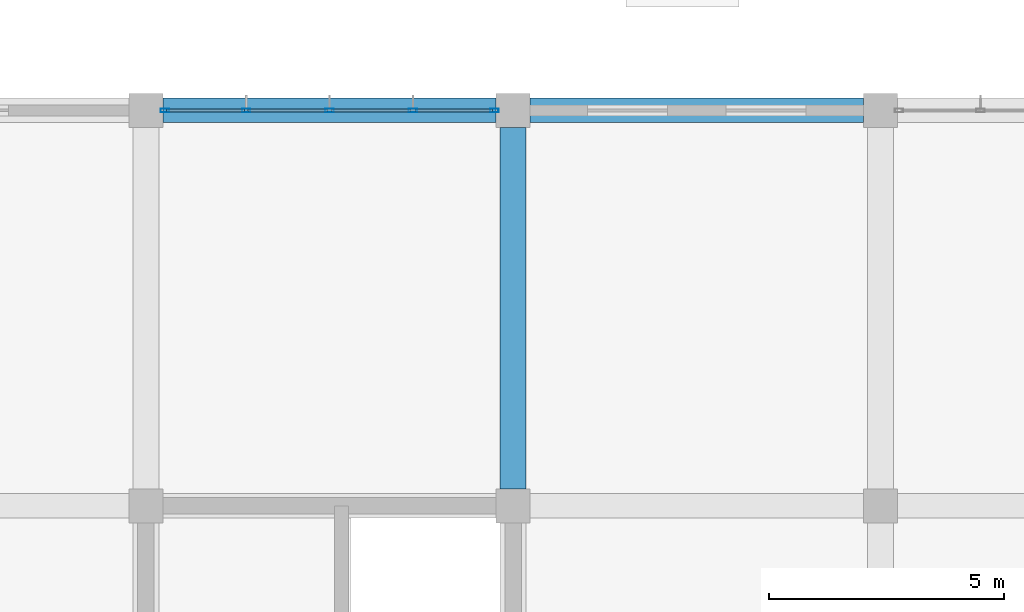
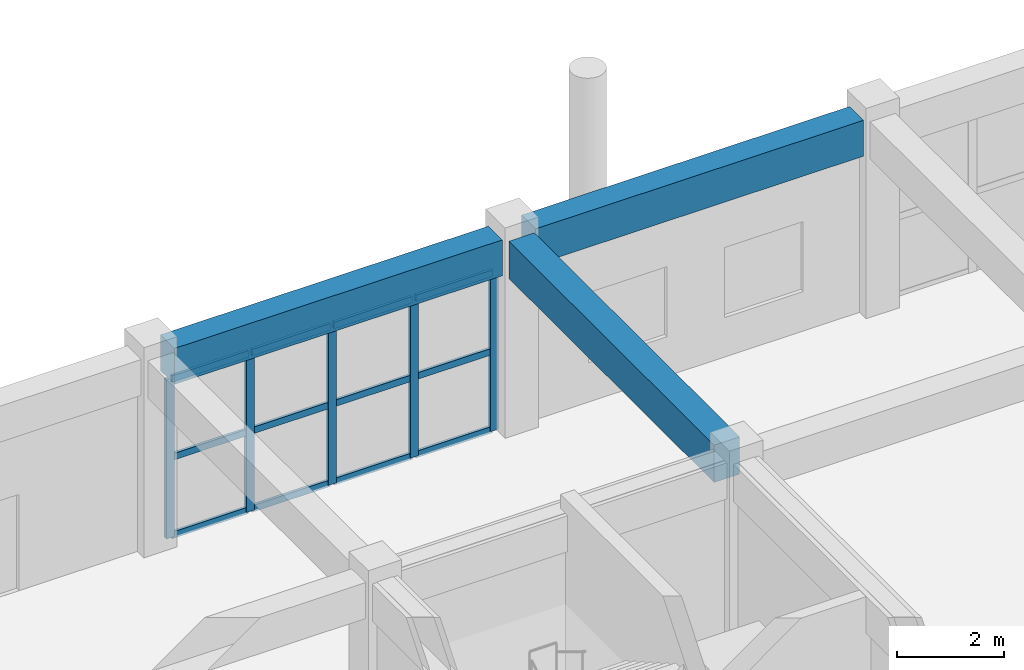
# One storey, part 89 of 139: 17 members, 3 beams, 1 element without a shape of its own.
"""IFC4 building model written with IfcOpenShell, lengths in metres."""

from ifc_helpers import new_model, si_unit, direction, frame, origin, origin_2d, place, context, subcontext, project, spatial, rectangle, hollow_rectangle, extrude, material, layer, layer_set, material_profile, profile_set, type_object, element, aggregate, save


model = new_model("IFC4")

# Units and contexts
model_context = context("Model", 3, precision=1e-05, world=origin(), true_north=direction((0.0, 1.0)))
body_context = subcontext(model_context, "Body", "Model", "MODEL_VIEW")
ifc_project = project(units=[si_unit("LENGTHUNIT", "METRE"), si_unit("AREAUNIT", "SQUARE_METRE"), si_unit("VOLUMEUNIT", "CUBIC_METRE"), si_unit("PLANEANGLEUNIT", "RADIAN"), si_unit("MASSUNIT", "GRAM", prefix="KILO")], contexts=[model_context])

# Site, building, storey
site_placement = place(None, origin())
site = spatial("IfcSite", under=ifc_project, at=site_placement, CompositionType="ELEMENT")
building_placement = place(site_placement, origin())
building = spatial("IfcBuilding", under=site, at=building_placement, Name="Zizhar Promenade General Hospital", CompositionType="ELEMENT")
storey_placement = place(building_placement, origin())
storey = spatial("IfcBuildingStorey", under=building, at=storey_placement, Name="L00", CompositionType="ELEMENT", Elevation=0.0)

# Beams
ifc_material_1 = material(Name="Concrete C35/45", Category="concrete")
ifc_material_profile_1 = material_profile(ifc_material_1, rectangle(XDim=0.52001953125, YDim=0.820068359375, at=origin_2d()))
ifc_profile_set_1 = profile_set([ifc_material_profile_1], Name="Concrete C35/45")
beam_type_1 = type_object("IfcBeamType", Name="BM-RC-520x820", PredefinedType="BEAM", material=ifc_profile_set_1)
for number, where, z_axis, x_axis, name in (
    (1, (171.9599609375, 109.199951171875, 4.06005859375), (1.0, 0.0, 0.0), (0.0, 1.0, 0.0), "Grid Beam X L00 (22-13)"),
    (2, (179.760009765625, 109.199951171875, 4.06005859375), (1.0, 0.0, 0.0), (0.0, 1.0, 0.0), "Grid Beam X L00 (23-13)"),
):
    element("IfcBeam", number, at=place(storey_placement, frame(where, z_axis=z_axis, x_axis=x_axis)), inside=storey, type_object=beam_type_1, Name=name, PredefinedType="BEAM", context=body_context, shape_type="SweptSolid", body=[
        extrude(rectangle(XDim=0.52001953125, YDim=0.820068359375, at=origin_2d()), origin(), (0.0, 0.0, 1.0), 7.080078125),
    ])
ifc_material_2 = material(Name="Concrete C35/45", Category="concrete")
ifc_material_profile_2 = material_profile(ifc_material_2, rectangle(XDim=0.550048828125, YDim=0.85009765625, at=origin_2d()))
ifc_profile_set_2 = profile_set([ifc_material_profile_2], Name="Concrete C35/45")
beam_type_2 = type_object("IfcBeamType", Name="BM-RC-550x850", PredefinedType="BEAM", material=ifc_profile_set_2)
beam_placement = place(storey_placement, frame((179.39990234375, 101.159912109375, 4.044921875), z_axis=(0.0, 1.0, 0.0), x_axis=(-1.0, 0.0, 0.0)))
element("IfcBeam", 3, at=beam_placement, inside=storey, type_object=beam_type_2, Name="Grid Beam Y L00 (23-12)", PredefinedType="BEAM", context=body_context, shape_type="SweptSolid", body=[
    extrude(rectangle(XDim=0.550048828125, YDim=0.85009765625, at=origin_2d()), origin(), (0.0, 0.0, 1.0), 7.68017578125),
])

# Curtain wall, members
ifc_material_3 = material(Name="Anodised aluminium 6063-T6 and low-E glass", Category="aluminium")
ifc_layer = layer(ifc_material_3, 0.159912109375)
ifc_layer_set = layer_set([ifc_layer], Name="Anodised aluminium 6063-T6 and low-E glass")
curtain_wall_type = type_object("IfcCurtainWallType", Name="CW-CLN-EXT", PredefinedType="NOTDEFINED", material=ifc_layer_set)
curtain_wall_placement = place(storey_placement, origin())
curtain_wall = element("IfcCurtainWall", 4, at=curtain_wall_placement, inside=storey, type_object=curtain_wall_type, Name="Outpatient North Curtain Wall L00-22", PredefinedType="NOTDEFINED")
ifc_material_4 = material(Name="Anodised aluminium 6063-T6", Category="aluminium")
ifc_material_profile_3 = material_profile(ifc_material_4, hollow_rectangle(XDim=0.080078125, YDim=0.179931640625, WallThickness=0.0048828125, at=origin_2d()))
ifc_profile_set_3 = profile_set([ifc_material_profile_3], Name="Anodised aluminium 6063-T6")
member_type_1 = type_object("IfcMemberType", Name="CWM-ALU-180x80", PredefinedType="MULLION", material=ifc_profile_set_3)
member_1_placement = place(storey_placement, frame((172.0, 109.199951171875, 0.0), z_axis=(0.0, 0.0, 1.0), x_axis=(0.0, 1.0, 0.0)))
member_1 = element("IfcMember", 5, at=member_1_placement, type_object=member_type_1, Name="CW-09 mullion 1", PredefinedType="MULLION", context=body_context, shape_type="SweptSolid", body=[
    extrude(hollow_rectangle(XDim=0.080078125, YDim=0.179931640625, WallThickness=0.0048828125, at=origin_2d()), origin(), (0.0, 0.0, 1.0), 3.6298828125),
])
member_2_placement = place(storey_placement, frame((173.72998046875, 109.199951171875, 0.0), z_axis=(0.0, 0.0, 1.0), x_axis=(0.0, 1.0, 0.0)))
member_2 = element("IfcMember", 6, at=member_2_placement, type_object=member_type_1, Name="CW-09 mullion 2", PredefinedType="MULLION", context=body_context, shape_type="SweptSolid", body=[
    extrude(hollow_rectangle(XDim=0.080078125, YDim=0.179931640625, WallThickness=0.0048828125, at=origin_2d()), origin(), (0.0, 0.0, 1.0), 3.6298828125),
])
member_3_placement = place(storey_placement, frame((175.5, 109.199951171875, 0.0), z_axis=(0.0, 0.0, 1.0), x_axis=(0.0, 1.0, 0.0)))
member_3 = element("IfcMember", 7, at=member_3_placement, type_object=member_type_1, Name="CW-09 mullion 3", PredefinedType="MULLION", context=body_context, shape_type="SweptSolid", body=[
    extrude(hollow_rectangle(XDim=0.080078125, YDim=0.179931640625, WallThickness=0.0048828125, at=origin_2d()), origin(), (0.0, 0.0, 1.0), 3.6298828125),
])
member_4_placement = place(storey_placement, frame((177.27001953125, 109.199951171875, 0.0), z_axis=(0.0, 0.0, 1.0), x_axis=(0.0, 1.0, 0.0)))
member_4 = element("IfcMember", 8, at=member_4_placement, type_object=member_type_1, Name="CW-09 mullion 4", PredefinedType="MULLION", context=body_context, shape_type="SweptSolid", body=[
    extrude(hollow_rectangle(XDim=0.080078125, YDim=0.179931640625, WallThickness=0.0048828125, at=origin_2d()), origin(), (0.0, 0.0, 1.0), 3.6298828125),
])
member_5_placement = place(storey_placement, frame((179.0, 109.199951171875, 0.0), z_axis=(0.0, 0.0, 1.0), x_axis=(0.0, 1.0, 0.0)))
member_5 = element("IfcMember", 9, at=member_5_placement, type_object=member_type_1, Name="CW-09 mullion 5", PredefinedType="MULLION", context=body_context, shape_type="SweptSolid", body=[
    extrude(hollow_rectangle(XDim=0.080078125, YDim=0.179931640625, WallThickness=0.0048828125, at=origin_2d()), origin(), (0.0, 0.0, 1.0), 3.6298828125),
])
ifc_material_5 = material(Name="Anodised aluminium 6063-T6", Category="aluminium")
ifc_material_profile_4 = material_profile(ifc_material_5, hollow_rectangle(XDim=0.06005859375, YDim=0.14990234375, WallThickness=0.00390625, at=origin_2d()))
ifc_profile_set_4 = profile_set([ifc_material_profile_4], Name="Anodised aluminium 6063-T6")
member_type_2 = type_object("IfcMemberType", Name="CWT-ALU-150x60", PredefinedType="USERDEFINED", material=ifc_profile_set_4)
member_6_placement = place(storey_placement, frame((172.0400390625, 109.199951171875, 0.030029296875), z_axis=(1.0, 0.0, 0.0), x_axis=(0.0, 1.0, 0.0)))
member_6 = element("IfcMember", 10, at=member_6_placement, type_object=member_type_2, Name="CW-09 transom 1.1", ObjectType="TRANSOM", PredefinedType="USERDEFINED", context=body_context, shape_type="SweptSolid", body=[
    extrude(hollow_rectangle(XDim=0.06005859375, YDim=0.14990234375, WallThickness=0.00390625, at=origin_2d()), origin(), (0.0, 0.0, 1.0), 1.64990234375),
])
member_7_placement = place(storey_placement, frame((172.0400390625, 109.199951171875, 1.81494140625), z_axis=(1.0, 0.0, 0.0), x_axis=(0.0, 1.0, 0.0)))
member_7 = element("IfcMember", 11, at=member_7_placement, type_object=member_type_2, Name="CW-09 transom 1.2", ObjectType="TRANSOM", PredefinedType="USERDEFINED", context=body_context, shape_type="SweptSolid", body=[
    extrude(hollow_rectangle(XDim=0.06005859375, YDim=0.14990234375, WallThickness=0.00390625, at=origin_2d()), origin(), (0.0, 0.0, 1.0), 1.64990234375),
])
member_8_placement = place(storey_placement, frame((172.0400390625, 109.199951171875, 3.60009765625), z_axis=(1.0, 0.0, 0.0), x_axis=(0.0, 1.0, 0.0)))
member_8 = element("IfcMember", 12, at=member_8_placement, type_object=member_type_2, Name="CW-09 transom 1.3", ObjectType="TRANSOM", PredefinedType="USERDEFINED", context=body_context, shape_type="SweptSolid", body=[
    extrude(hollow_rectangle(XDim=0.06005859375, YDim=0.14990234375, WallThickness=0.00390625, at=origin_2d()), origin(), (0.0, 0.0, 1.0), 1.64990234375),
])
member_9_placement = place(storey_placement, frame((173.77001953125, 109.199951171875, 0.030029296875), z_axis=(1.0, 0.0, 0.0), x_axis=(0.0, 1.0, 0.0)))
member_9 = element("IfcMember", 13, at=member_9_placement, type_object=member_type_2, Name="CW-09 transom 2.1", ObjectType="TRANSOM", PredefinedType="USERDEFINED", context=body_context, shape_type="SweptSolid", body=[
    extrude(hollow_rectangle(XDim=0.06005859375, YDim=0.14990234375, WallThickness=0.00390625, at=origin_2d()), origin(), (0.0, 0.0, 1.0), 1.68994140625),
])
member_10_placement = place(storey_placement, frame((173.77001953125, 109.199951171875, 1.81494140625), z_axis=(1.0, 0.0, 0.0), x_axis=(0.0, 1.0, 0.0)))
member_10 = element("IfcMember", 14, at=member_10_placement, type_object=member_type_2, Name="CW-09 transom 2.2", ObjectType="TRANSOM", PredefinedType="USERDEFINED", context=body_context, shape_type="SweptSolid", body=[
    extrude(hollow_rectangle(XDim=0.06005859375, YDim=0.14990234375, WallThickness=0.00390625, at=origin_2d()), origin(), (0.0, 0.0, 1.0), 1.68994140625),
])
member_11_placement = place(storey_placement, frame((173.77001953125, 109.199951171875, 3.60009765625), z_axis=(1.0, 0.0, 0.0), x_axis=(0.0, 1.0, 0.0)))
member_11 = element("IfcMember", 15, at=member_11_placement, type_object=member_type_2, Name="CW-09 transom 2.3", ObjectType="TRANSOM", PredefinedType="USERDEFINED", context=body_context, shape_type="SweptSolid", body=[
    extrude(hollow_rectangle(XDim=0.06005859375, YDim=0.14990234375, WallThickness=0.00390625, at=origin_2d()), origin(), (0.0, 0.0, 1.0), 1.68994140625),
])
member_12_placement = place(storey_placement, frame((175.5400390625, 109.199951171875, 0.030029296875), z_axis=(1.0, 0.0, 0.0), x_axis=(0.0, 1.0, 0.0)))
member_12 = element("IfcMember", 16, at=member_12_placement, type_object=member_type_2, Name="CW-09 transom 3.1", ObjectType="TRANSOM", PredefinedType="USERDEFINED", context=body_context, shape_type="SweptSolid", body=[
    extrude(hollow_rectangle(XDim=0.06005859375, YDim=0.14990234375, WallThickness=0.00390625, at=origin_2d()), origin(), (0.0, 0.0, 1.0), 1.68994140625),
])
member_13_placement = place(storey_placement, frame((175.5400390625, 109.199951171875, 1.81494140625), z_axis=(1.0, 0.0, 0.0), x_axis=(0.0, 1.0, 0.0)))
member_13 = element("IfcMember", 17, at=member_13_placement, type_object=member_type_2, Name="CW-09 transom 3.2", ObjectType="TRANSOM", PredefinedType="USERDEFINED", context=body_context, shape_type="SweptSolid", body=[
    extrude(hollow_rectangle(XDim=0.06005859375, YDim=0.14990234375, WallThickness=0.00390625, at=origin_2d()), origin(), (0.0, 0.0, 1.0), 1.68994140625),
])
member_14_placement = place(storey_placement, frame((175.5400390625, 109.199951171875, 3.60009765625), z_axis=(1.0, 0.0, 0.0), x_axis=(0.0, 1.0, 0.0)))
member_14 = element("IfcMember", 18, at=member_14_placement, type_object=member_type_2, Name="CW-09 transom 3.3", ObjectType="TRANSOM", PredefinedType="USERDEFINED", context=body_context, shape_type="SweptSolid", body=[
    extrude(hollow_rectangle(XDim=0.06005859375, YDim=0.14990234375, WallThickness=0.00390625, at=origin_2d()), origin(), (0.0, 0.0, 1.0), 1.68994140625),
])
member_15_placement = place(storey_placement, frame((177.31005859375, 109.199951171875, 0.030029296875), z_axis=(1.0, 0.0, 0.0), x_axis=(0.0, 1.0, 0.0)))
member_15 = element("IfcMember", 19, at=member_15_placement, type_object=member_type_2, Name="CW-09 transom 4.1", ObjectType="TRANSOM", PredefinedType="USERDEFINED", context=body_context, shape_type="SweptSolid", body=[
    extrude(hollow_rectangle(XDim=0.06005859375, YDim=0.14990234375, WallThickness=0.00390625, at=origin_2d()), origin(), (0.0, 0.0, 1.0), 1.64990234375),
])
member_16_placement = place(storey_placement, frame((177.31005859375, 109.199951171875, 1.81494140625), z_axis=(1.0, 0.0, 0.0), x_axis=(0.0, 1.0, 0.0)))
member_16 = element("IfcMember", 20, at=member_16_placement, type_object=member_type_2, Name="CW-09 transom 4.2", ObjectType="TRANSOM", PredefinedType="USERDEFINED", context=body_context, shape_type="SweptSolid", body=[
    extrude(hollow_rectangle(XDim=0.06005859375, YDim=0.14990234375, WallThickness=0.00390625, at=origin_2d()), origin(), (0.0, 0.0, 1.0), 1.64990234375),
])
member_17_placement = place(storey_placement, frame((177.31005859375, 109.199951171875, 3.60009765625), z_axis=(1.0, 0.0, 0.0), x_axis=(0.0, 1.0, 0.0)))
member_17 = element("IfcMember", 21, at=member_17_placement, type_object=member_type_2, Name="CW-09 transom 4.3", ObjectType="TRANSOM", PredefinedType="USERDEFINED", context=body_context, shape_type="SweptSolid", body=[
    extrude(hollow_rectangle(XDim=0.06005859375, YDim=0.14990234375, WallThickness=0.00390625, at=origin_2d()), origin(), (0.0, 0.0, 1.0), 1.64990234375),
])
aggregate(curtain_wall, [member_1, member_2, member_3, member_4, member_5, member_6, member_7, member_8, member_9, member_10, member_11, member_12, member_13, member_14, member_15, member_16, member_17])

save(model, "model.ifc")
